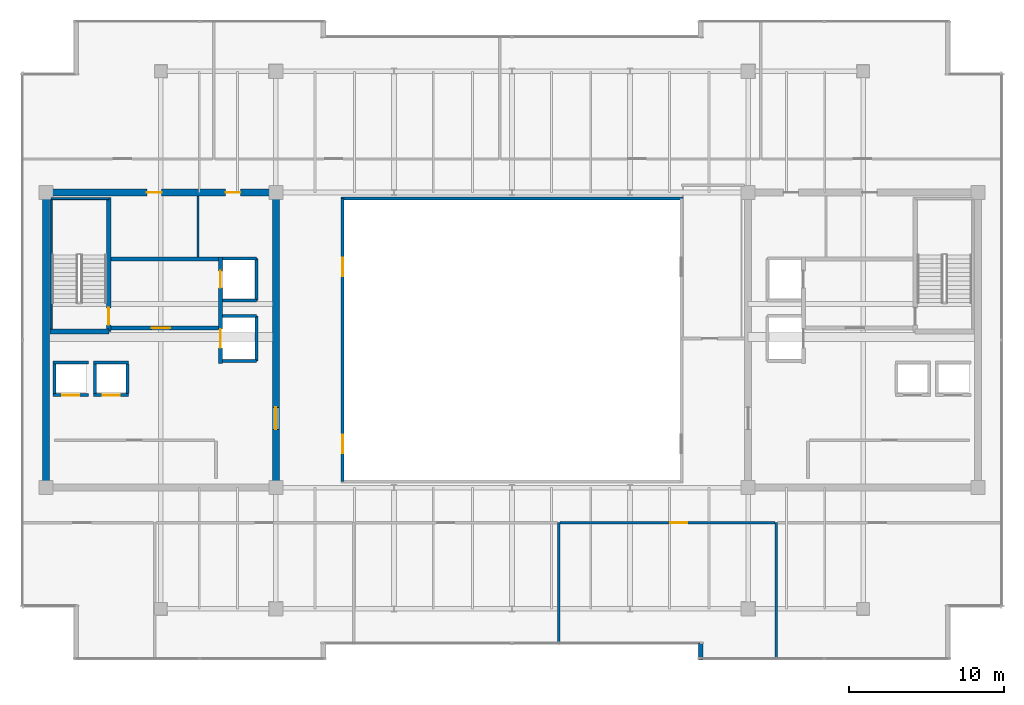
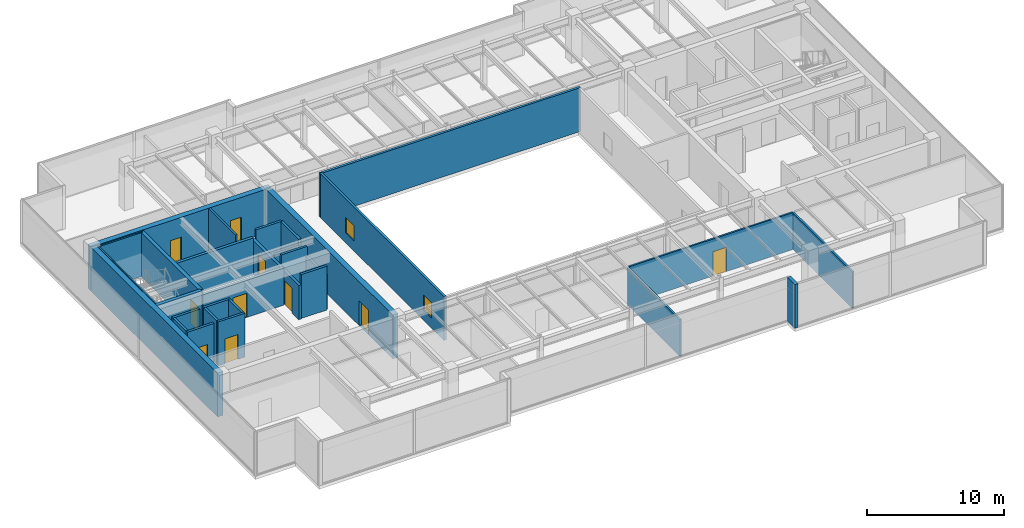
# One storey, part 27 of 34: 30 walls, 10 doors, 2 windows, 12 openings.
"""IFC4 building model written with IfcOpenShell, lengths in metres."""

from ifc_helpers import new_model, si_unit, direction, frame, frame_2d, origin, place, context, subcontext, project, spatial, rectangle, extrude, source, transform, mapped, material, layer, layer_set, type_object, type_shapes, element, fill, save


model = new_model("IFC4")

# Units and contexts
model_context = context("Model", 3, precision=1e-05, world=origin(), true_north=direction((0.0, 1.0)))
body_context = subcontext(model_context, "Body", "Model", "MODEL_VIEW")
ifc_project = project(units=[si_unit("LENGTHUNIT", "METRE"), si_unit("AREAUNIT", "SQUARE_METRE"), si_unit("VOLUMEUNIT", "CUBIC_METRE"), si_unit("PLANEANGLEUNIT", "RADIAN"), si_unit("MASSUNIT", "GRAM", prefix="KILO")], contexts=[model_context])

# Site, building, storey
site_placement = place(None, origin())
site = spatial("IfcSite", under=ifc_project, at=site_placement, CompositionType="ELEMENT")
building_placement = place(site_placement, origin())
building = spatial("IfcBuilding", under=site, at=building_placement, Name="Haelvirn Gate Laboratories", CompositionType="ELEMENT")
storey_placement = place(building_placement, frame((0.0, 0.0, 322.800048828125)))
storey = spatial("IfcBuildingStorey", under=building, at=storey_placement, Name="L77", CompositionType="ELEMENT", Elevation=322.800048828125)

# Walls
ifc_material_1 = material(Name="Thermally-broken bronze aluminium rainscreen & mineral wool", Category="aluminium")
ifc_layer_1 = layer(ifc_material_1, 0.280029296875, Name="EW-TERR-280")
ifc_layer_set_1 = layer_set([ifc_layer_1], Name="Thermally-broken bronze aluminium rainscreen & mineral wool")
wall_type_1 = type_object("IfcWallType", Name="EW-TERR-280", PredefinedType="STANDARD", material=ifc_layer_set_1)
wall_1_placement = place(storey_placement, frame((49.5400390625, 4.79296875, 0.0), z_axis=(0.0, 0.0, 1.0), x_axis=(0.0, -1.0, 0.0)))
element("IfcWall", 1, at=wall_1_placement, inside=storey, type_object=wall_type_1, Name="L77 Atrium Recess Bronze Return Wall 03", PredefinedType="STANDARD", context=body_context, shape_type="SweptSolid", body=[
    extrude(rectangle(XDim=1.093017578125, YDim=0.280029296875, at=frame_2d((0.54638671875, 0.0))), origin(), (0.0, 0.0, 1.0), 3.919921875),
])
ifc_material_2 = material(Name="Double-layer acoustic gypsum laboratory partition", Category="gypsum")
ifc_layer_2 = layer(ifc_material_2, 0.159912109375, Name="IW-ACOUST-160")
ifc_layer_set_2 = layer_set([ifc_layer_2], Name="Double-layer acoustic gypsum laboratory partition")
wall_type_2 = type_object("IfcWallType", Name="IW-ACOUST-160", PredefinedType="PARTITIONING", material=ifc_layer_set_2)
wall_2_placement = place(storey_placement, frame((40.39990234375, 4.81005859375, 0.0), z_axis=(0.0, 0.0, 1.0), x_axis=(0.0, 1.0, 0.0)))
element("IfcWall", 2, at=wall_2_placement, inside=storey, type_object=wall_type_2, Name="L77 Interior Wall IW-L77-SDIV-03", PredefinedType="PARTITIONING", context=body_context, shape_type="SweptSolid", body=[
    extrude(rectangle(XDim=7.72998046875, YDim=0.159912109375, at=frame_2d((3.864990234375, 0.0))), origin(), (0.0, 0.0, 1.0), 3.2548828125),
])
wall_3_placement = place(storey_placement, frame((54.39990234375, 3.81005859375, 0.0), z_axis=(0.0, 0.0, 1.0), x_axis=(0.0, 1.0, 0.0)))
element("IfcWall", 3, at=wall_3_placement, inside=storey, type_object=wall_type_2, Name="L77 Interior Wall IW-L77-SDIV-04", PredefinedType="PARTITIONING", context=body_context, shape_type="SweptSolid", body=[
    extrude(rectangle(XDim=8.72998046875, YDim=0.159912109375, at=frame_2d((4.364990234375, 0.0))), origin(), (0.0, 0.0, 1.0), 3.2548828125),
])

# Wall, openings, windows
ifc_material_3 = material(Name="Tempered fire-rated borosilicate glass & anodised aluminium", Category="aluminium")
ifc_layer_3 = layer(ifc_material_3, 0.195068359375, Name="IW-GLAZ-200")
ifc_layer_set_3 = layer_set([ifc_layer_3], Name="Tempered fire-rated borosilicate glass & anodised aluminium")
wall_type_3 = type_object("IfcWallType", Name="IW-GLAZ-200", PredefinedType="SOLIDWALL", material=ifc_layer_set_3)
wall_4_placement = place(storey_placement, frame((26.5, 15.199951171875, 0.0), z_axis=(0.0, 0.0, 1.0), x_axis=(0.0, 1.0, 0.0)))
wall_4 = element("IfcWall", 4, at=wall_4_placement, inside=storey, type_object=wall_type_3, Name="L77 Interior Wall IW-L77-ATRIUM-W", PredefinedType="SOLIDWALL", context=body_context, shape_type="SweptSolid", body=[
    extrude(rectangle(XDim=18.199951171875, YDim=0.195068359375, at=frame_2d((9.10009765625, 0.0))), origin(), (0.0, 0.0, 1.0), 3.919921875),
])
opening_1_placement = place(wall_4_placement, frame((1.800048828125, 0.0, 0.89990234375)))
opening_1 = element("IfcOpeningElement", 5, at=opening_1_placement, cuts=wall_4, Name="Opening W6", PredefinedType="OPENING", context=body_context, shape_type="SweptSolid", body=[
    extrude(rectangle(XDim=1.199951171875, YDim=1.35009765625, at=frame_2d((0.60009765625, 0.675048828125))), frame((0.0, 0.107421875, 0.0), z_axis=(0.0, -1.0, 0.0), x_axis=(1.0, 0.0, 0.0)), (0.0, 0.0, 1.0), 0.215087890625),
])
opening_2_placement = place(wall_4_placement, frame((13.199951171875, 0.0, 0.89990234375)))
opening_2 = element("IfcOpeningElement", 6, at=opening_2_placement, cuts=wall_4, Name="Opening W6", PredefinedType="OPENING", context=body_context, shape_type="SweptSolid", body=[
    extrude(rectangle(XDim=1.199951171875, YDim=1.35009765625, at=frame_2d((0.60009765625, 0.675048828125))), frame((0.0, 0.107421875, 0.0), z_axis=(0.0, -1.0, 0.0), x_axis=(1.0, 0.0, 0.0)), (0.0, 0.0, 1.0), 0.215087890625),
])
ifc_material_4 = material(Name="Fire-rated EI 120 borosilicate atrium vision glazing", Category="glass")
window_type = type_object("IfcWindowType", Name="WN-ATR-1200", PartitioningType="SINGLE_PANEL", PredefinedType="WINDOW", material=ifc_material_4)
shared_shape_1 = source(origin(), body_context, "Body", "SweptSolid", [
    extrude(rectangle(XDim=1.199951171875, YDim=1.35009765625, at=frame_2d((0.60009765625, 0.675048828125))), frame((0.0, 0.030029296875, 0.0), z_axis=(0.0, -1.0, 0.0), x_axis=(1.0, 0.0, 0.0)), (0.0, 0.0, 1.0), 0.06005859375),
])
type_shapes(window_type, [shared_shape_1])
window_1_placement = place(opening_1_placement, origin())
window_1 = element("IfcWindow", 7, at=window_1_placement, inside=storey, type_object=window_type, Name="L77 Atrium Observation Window 1", OverallHeight=1.35009765625, OverallWidth=1.199951171875, PartitioningType="SINGLE_PANEL", PredefinedType="WINDOW", context=body_context, shape_type="MappedRepresentation", body=[
    mapped(shared_shape_1, transform((0.0, 0.0, 0.0), scale=1.0)),
])
fill(opening_1, window_1)
window_2_placement = place(opening_2_placement, origin())
window_2 = element("IfcWindow", 8, at=window_2_placement, inside=storey, type_object=window_type, Name="L77 Atrium Observation Window 2", OverallHeight=1.35009765625, OverallWidth=1.199951171875, PartitioningType="SINGLE_PANEL", PredefinedType="WINDOW", context=body_context, shape_type="MappedRepresentation", body=[
    mapped(shared_shape_1, transform((0.0, 0.0, 0.0), scale=1.0)),
])
fill(opening_2, window_2)

# Wall
wall_5_placement = place(storey_placement, frame((26.39990234375, 33.39990234375, 0.0), z_axis=(0.0, 0.0, 1.0), x_axis=(1.0, 0.0, 0.0)))
element("IfcWall", 9, at=wall_5_placement, inside=storey, type_object=wall_type_3, Name="L77 Interior Wall IW-L77-ATRIUM-N", PredefinedType="SOLIDWALL", context=body_context, shape_type="SweptSolid", body=[
    extrude(rectangle(XDim=22.0, YDim=0.195068359375, at=frame_2d((11.0, 0.0))), origin(), (0.0, 0.0, 1.0), 3.919921875),
])

# Wall, opening, door
ifc_material_5 = material(Name="Acoustic mineral-wool gypsum board partition", Category="gypsum")
ifc_layer_4 = layer(ifc_material_5, 0.139892578125, Name="IW-PART-140")
ifc_layer_set_4 = layer_set([ifc_layer_4], Name="Acoustic mineral-wool gypsum board partition")
wall_type_4 = type_object("IfcWallType", Name="IW-PART-140", PredefinedType="PARTITIONING", material=ifc_layer_set_4)
wall_6_placement = place(storey_placement, frame((40.47998046875, 12.5400390625, 0.0), z_axis=(0.0, 0.0, 1.0), x_axis=(1.0, 0.0, 0.0)))
wall_6 = element("IfcWall", 10, at=wall_6_placement, inside=storey, type_object=wall_type_4, Name="L77 Interior Wall IW-L77-SCORR-04", PredefinedType="PARTITIONING", context=body_context, shape_type="SweptSolid", body=[
    extrude(rectangle(XDim=13.840087890625, YDim=0.139892578125, at=frame_2d((6.919921875, 0.0))), origin(), (0.0, 0.0, 1.0), 3.31689453125),
])
opening_3_placement = place(wall_6_placement, frame((7.09228515625, 0.0, 0.0)))
opening_3 = element("IfcOpeningElement", 11, at=opening_3_placement, cuts=wall_6, Name="Opening D1", PredefinedType="OPENING", context=body_context, shape_type="SweptSolid", body=[
    extrude(rectangle(XDim=1.10009765625, YDim=2.179931640625, at=frame_2d((0.550048828125, 1.08984375))), frame((0.0, 0.080078125, 0.0), z_axis=(0.0, -1.0, 0.0), x_axis=(1.0, 0.0, 0.0)), (0.0, 0.0, 1.0), 0.159912109375),
])
ifc_material_6 = material(Name="Vision-panel acoustic solid-core timber lab door", Category="wood")
door_type_1 = type_object("IfcDoorType", Name="DR-LAB-1100", OperationType="NOTDEFINED", PredefinedType="DOOR", material=ifc_material_6)
shared_shape_2 = source(origin(), body_context, "Body", "SweptSolid", [
    extrude(rectangle(XDim=1.10009765625, YDim=2.179931640625, at=frame_2d((0.550048828125, 1.08984375))), frame((0.0, 0.02490234375, 0.0), z_axis=(0.0, -1.0, 0.0), x_axis=(1.0, 0.0, 0.0)), (0.0, 0.0, 1.0), 0.050048828125),
])
type_shapes(door_type_1, [shared_shape_2])
door_1_placement = place(opening_3_placement, origin())
door_1 = element("IfcDoor", 12, at=door_1_placement, inside=storey, type_object=door_type_1, Name="L77 Translational Data Office Door S4", OperationType="SINGLE_SWING_LEFT", OverallHeight=2.179931640625, OverallWidth=1.10009765625, PredefinedType="DOOR", context=body_context, shape_type="MappedRepresentation", body=[
    mapped(shared_shape_2, transform((0.0, 0.0, 0.0), scale=1.0)),
])
fill(opening_3, door_1)

# Walls
ifc_material_7 = material(Name="Cement-board restroom plumbing chase wall", Category="gypsum")
ifc_layer_5 = layer(ifc_material_7, 0.155029296875, Name="IW-PLUMB-160")
ifc_layer_set_5 = layer_set([ifc_layer_5], Name="Cement-board restroom plumbing chase wall")
wall_type_5 = type_object("IfcWallType", Name="IW-PLUMB-160", PredefinedType="PLUMBINGWALL", material=ifc_layer_set_5)
wall_7_placement = place(storey_placement, frame((17.18994140625, 29.64990234375, 0.0), z_axis=(0.0, 0.0, 1.0), x_axis=(0.0, 1.0, 0.0)))
element("IfcWall", 13, at=wall_7_placement, inside=storey, type_object=wall_type_5, Name="L77 Interior Wall IW-L77-W-CDIV-1", PredefinedType="PLUMBINGWALL", context=body_context, shape_type="SweptSolid", body=[
    extrude(rectangle(XDim=3.93017578125, YDim=0.155029296875, at=frame_2d((1.965087890625, 0.0))), origin(), (0.0, 0.0, 1.0), 3.919921875),
])
ifc_material_8 = material(Name="Concrete C40/50", Category="concrete")
ifc_layer_6 = layer(ifc_material_8, 0.179931640625, Name="IW-SHAFT-180")
ifc_layer_set_6 = layer_set([ifc_layer_6], Name="Concrete C40/50")
wall_type_6 = type_object("IfcWallType", Name="IW-SHAFT-180", PredefinedType="SOLIDWALL", material=ifc_layer_set_6)
for number, where, z_axis, x_axis, name in (
    (14, (7.949951171875, 20.85009765625, 0.0), (0.0, 0.0, 1.0), (0.0, 1.0, 0.0), "L77 Interior Wall IW-L77-PL9-SD"),
    (15, (10.550048828125, 20.85009765625, 0.0), (0.0, 0.0, 1.0), (0.0, 1.0, 0.0), "L77 Interior Wall IW-L77-PL10-SD"),
    (16, (12.64990234375, 20.85009765625, 0.0), (0.0, 0.0, 1.0), (0.0, 1.0, 0.0), "L77 Interior Wall IW-L77-PL10-SDE"),
):
    element("IfcWall", number, at=place(storey_placement, frame(where, z_axis=z_axis, x_axis=x_axis)), inside=storey, type_object=wall_type_6, Name=name, PredefinedType="SOLIDWALL", context=body_context, shape_type="SweptSolid", body=[
        extrude(rectangle(XDim=1.89990234375, YDim=0.179931640625, at=frame_2d((0.949951171875, 0.0))), origin(), (0.0, 0.0, 1.0), 3.919921875),
    ])

# Wall, opening, door
ifc_layer_7 = layer(ifc_material_8, 0.199951171875, Name="IW-SHAFT-200")
ifc_layer_set_7 = layer_set([ifc_layer_7], Name="Concrete C40/50")
wall_type_7 = type_object("IfcWallType", Name="IW-SHAFT-200", PredefinedType="SOLIDWALL", material=ifc_layer_set_7)
wall_8_placement = place(storey_placement, frame((7.8701171875, 20.75, 0.0), z_axis=(0.0, 0.0, 1.0), x_axis=(1.0, 0.0, 0.0)))
wall_8 = element("IfcWall", 17, at=wall_8_placement, inside=storey, type_object=wall_type_7, Name="L77 Interior Wall IW-L77-PL9-FR", PredefinedType="SOLIDWALL", context=body_context, shape_type="SweptSolid", body=[
    extrude(rectangle(XDim=2.259765625, YDim=0.199951171875, at=frame_2d((1.1298828125, 0.0))), origin(), (0.0, 0.0, 1.0), 3.919921875),
])
opening_4_placement = place(wall_8_placement, frame((0.580078125, 0.0, 0.0)))
opening_4 = element("IfcOpeningElement", 18, at=opening_4_placement, cuts=wall_8, Name="Opening LD2", PredefinedType="OPENING", context=body_context, shape_type="SweptSolid", body=[
    extrude(rectangle(XDim=1.10009765625, YDim=2.219970703125, at=frame_2d((0.550048828125, 1.10986328125))), frame((0.0, 0.10986328125, 0.0), z_axis=(0.0, -1.0, 0.0), x_axis=(1.0, 0.0, 0.0)), (0.0, 0.0, 1.0), 0.219970703125),
])
ifc_material_9 = material(Name="Bronze stainless 316L sliding lift landing door")
door_type_2 = type_object("IfcDoorType", Name="DR-LD-1100", OperationType="NOTDEFINED", PredefinedType="USERDEFINED", material=ifc_material_9)
shared_shape_3 = source(origin(), body_context, "Body", "SweptSolid", [
    extrude(rectangle(XDim=1.10009765625, YDim=2.219970703125, at=frame_2d((0.550048828125, 1.10986328125))), frame((0.0, 0.02490234375, 0.0), z_axis=(0.0, -1.0, 0.0), x_axis=(1.0, 0.0, 0.0)), (0.0, 0.0, 1.0), 0.050048828125),
])
type_shapes(door_type_2, [shared_shape_3])
door_2_placement = place(opening_4_placement, origin())
door_2 = element("IfcDoor", 19, at=door_2_placement, inside=storey, type_object=door_type_2, Name="L77 Passenger Lift PL9 Landing Door", ObjectType="LANDING_DOOR", OperationType="SLIDING_TO_LEFT", OverallHeight=2.219970703125, OverallWidth=1.10009765625, PredefinedType="USERDEFINED", context=body_context, shape_type="MappedRepresentation", body=[
    mapped(shared_shape_3, transform((0.0, 0.0, 0.0), scale=1.0)),
])
fill(opening_4, door_2)

# Wall
wall_9_placement = place(storey_placement, frame((7.8701171875, 22.85009765625, 0.0), z_axis=(0.0, 0.0, 1.0), x_axis=(1.0, 0.0, 0.0)))
element("IfcWall", 20, at=wall_9_placement, inside=storey, type_object=wall_type_7, Name="L77 Interior Wall IW-L77-PL9-BK", PredefinedType="SOLIDWALL", context=body_context, shape_type="SweptSolid", body=[
    extrude(rectangle(XDim=2.259765625, YDim=0.199951171875, at=frame_2d((1.1298828125, 0.0))), origin(), (0.0, 0.0, 1.0), 3.919921875),
])

# Wall, opening, door
wall_10_placement = place(storey_placement, frame((10.469970703125, 20.75, 0.0), z_axis=(0.0, 0.0, 1.0), x_axis=(1.0, 0.0, 0.0)))
wall_10 = element("IfcWall", 21, at=wall_10_placement, inside=storey, type_object=wall_type_7, Name="L77 Interior Wall IW-L77-PL10-FR", PredefinedType="SOLIDWALL", context=body_context, shape_type="SweptSolid", body=[
    extrude(rectangle(XDim=2.260009765625, YDim=0.199951171875, at=frame_2d((1.1298828125, 0.0))), origin(), (0.0, 0.0, 1.0), 3.919921875),
])
opening_5_placement = place(wall_10_placement, frame((0.580078125, 0.0, 0.0)))
opening_5 = element("IfcOpeningElement", 22, at=opening_5_placement, cuts=wall_10, Name="Opening LD2", PredefinedType="OPENING", context=body_context, shape_type="SweptSolid", body=[
    extrude(rectangle(XDim=1.10009765625, YDim=2.219970703125, at=frame_2d((0.550048828125, 1.10986328125))), frame((0.0, 0.10986328125, 0.0), z_axis=(0.0, -1.0, 0.0), x_axis=(1.0, 0.0, 0.0)), (0.0, 0.0, 1.0), 0.219970703125),
])
door_3_placement = place(opening_5_placement, origin())
door_3 = element("IfcDoor", 23, at=door_3_placement, inside=storey, type_object=door_type_2, Name="L77 Passenger Lift PL10 Landing Door", ObjectType="LANDING_DOOR", OperationType="SLIDING_TO_RIGHT", OverallHeight=2.219970703125, OverallWidth=1.10009765625, PredefinedType="USERDEFINED", context=body_context, shape_type="MappedRepresentation", body=[
    mapped(shared_shape_3, transform((0.0, 0.0, 0.0), scale=1.0)),
])
fill(opening_5, door_3)

# Walls
wall_11_placement = place(storey_placement, frame((10.469970703125, 22.85009765625, 0.0), z_axis=(0.0, 0.0, 1.0), x_axis=(1.0, 0.0, 0.0)))
element("IfcWall", 24, at=wall_11_placement, inside=storey, type_object=wall_type_7, Name="L77 Interior Wall IW-L77-PL10-BK", PredefinedType="SOLIDWALL", context=body_context, shape_type="SweptSolid", body=[
    extrude(rectangle(XDim=2.260009765625, YDim=0.199951171875, at=frame_2d((1.1298828125, 0.0))), origin(), (0.0, 0.0, 1.0), 3.919921875),
])
wall_12_placement = place(storey_placement, frame((20.949951171875, 26.85009765625, 0.0), z_axis=(0.0, 0.0, 1.0), x_axis=(0.0, 1.0, 0.0)))
element("IfcWall", 25, at=wall_12_placement, inside=storey, type_object=wall_type_7, Name="L77 Interior Wall IW-L77-FL1-BK", PredefinedType="SOLIDWALL", context=body_context, shape_type="SweptSolid", body=[
    extrude(rectangle(XDim=2.699951171875, YDim=0.199951171875, at=frame_2d((1.35009765625, 0.0))), origin(), (0.0, 0.0, 1.0), 3.919921875),
])
wall_13_placement = place(storey_placement, frame((18.760009765625, 29.550048828125, 0.0), z_axis=(0.0, 0.0, 1.0), x_axis=(1.0, 0.0, 0.0)))
element("IfcWall", 26, at=wall_13_placement, inside=storey, type_object=wall_type_7, Name="L77 Interior Wall IW-L77-FL1-N", PredefinedType="SOLIDWALL", context=body_context, shape_type="SweptSolid", body=[
    extrude(rectangle(XDim=2.18994140625, YDim=0.199951171875, at=frame_2d((1.094970703125, 0.0))), origin(), (0.0, 0.0, 1.0), 3.919921875),
])
wall_14_placement = place(storey_placement, frame((18.760009765625, 26.85009765625, 0.0), z_axis=(0.0, 0.0, 1.0), x_axis=(1.0, 0.0, 0.0)))
element("IfcWall", 27, at=wall_14_placement, inside=storey, type_object=wall_type_7, Name="L77 Interior Wall IW-L77-FL1-S", PredefinedType="SOLIDWALL", context=body_context, shape_type="SweptSolid", body=[
    extrude(rectangle(XDim=2.18994140625, YDim=0.199951171875, at=frame_2d((1.094970703125, 0.0))), origin(), (0.0, 0.0, 1.0), 3.31689453125),
])
wall_15_placement = place(storey_placement, frame((20.949951171875, 22.949951171875, 0.0), z_axis=(0.0, 0.0, 1.0), x_axis=(0.0, 1.0, 0.0)))
element("IfcWall", 28, at=wall_15_placement, inside=storey, type_object=wall_type_7, Name="L77 Interior Wall IW-L77-SL1-BK", PredefinedType="SOLIDWALL", context=body_context, shape_type="SweptSolid", body=[
    extrude(rectangle(XDim=2.900146484375, YDim=0.199951171875, at=frame_2d((1.4501953125, 0.0))), origin(), (0.0, 0.0, 1.0), 3.054931640625),
])
for number, where, z_axis, x_axis, name in (
    (29, (18.760009765625, 25.85009765625, 0.0), (0.0, 0.0, 1.0), (1.0, 0.0, 0.0), "L77 Interior Wall IW-L77-SL1-N"),
    (30, (18.760009765625, 22.949951171875, 0.0), (0.0, 0.0, 1.0), (1.0, 0.0, 0.0), "L77 Interior Wall IW-L77-SL1-S"),
):
    element("IfcWall", number, at=place(storey_placement, frame(where, z_axis=z_axis, x_axis=x_axis)), inside=storey, type_object=wall_type_7, Name=name, PredefinedType="SOLIDWALL", context=body_context, shape_type="SweptSolid", body=[
        extrude(rectangle(XDim=2.18994140625, YDim=0.199951171875, at=frame_2d((1.094970703125, 0.0))), origin(), (0.0, 0.0, 1.0), 3.919921875),
    ])

# Wall, opening, door
ifc_layer_8 = layer(ifc_material_8, 0.239990234375, Name="IW-SHAFT-240")
ifc_layer_set_8 = layer_set([ifc_layer_8], Name="Concrete C40/50")
wall_type_8 = type_object("IfcWallType", Name="IW-SHAFT-240", PredefinedType="SOLIDWALL", material=ifc_layer_set_8)
wall_16_placement = place(storey_placement, frame((11.60009765625, 25.080078125, 0.0), z_axis=(0.0, 0.0, 1.0), x_axis=(1.0, 0.0, 0.0)))
wall_16 = element("IfcWall", 31, at=wall_16_placement, inside=storey, type_object=wall_type_8, Name="L77 Interior Wall IW-L77-W-FF-S", PredefinedType="SOLIDWALL", context=body_context, shape_type="SweptSolid", body=[
    extrude(rectangle(XDim=6.919921875, YDim=0.239990234375, at=frame_2d((3.4599609375, 0.0))), origin(), (0.0, 0.0, 1.0), 3.31689453125),
])
opening_6_placement = place(wall_16_placement, frame((2.60009765625, 0.0, 0.0)))
opening_6 = element("IfcOpeningElement", 32, at=opening_6_placement, cuts=wall_16, Name="Opening FD2", PredefinedType="OPENING", context=body_context, shape_type="SweptSolid", body=[
    extrude(rectangle(XDim=1.199951171875, YDim=2.159912109375, at=frame_2d((0.60009765625, 1.080078125))), frame((0.0, 0.1298828125, 0.0), z_axis=(0.0, -1.0, 0.0), x_axis=(1.0, 0.0, 0.0)), (0.0, 0.0, 1.0), 0.260009765625),
])
ifc_material_10 = material(Name="Fire-rated steel SM355 compartment door", Category="steel")
door_type_3 = type_object("IfcDoorType", Name="DR-FD-1200", OperationType="NOTDEFINED", PredefinedType="DOOR", material=ifc_material_10)
shared_shape_4 = source(origin(), body_context, "Body", "SweptSolid", [
    extrude(rectangle(XDim=1.199951171875, YDim=2.159912109375, at=frame_2d((0.60009765625, 1.080078125))), frame((0.0, 0.02490234375, 0.0), z_axis=(0.0, -1.0, 0.0), x_axis=(1.0, 0.0, 0.0)), (0.0, 0.0, 1.0), 0.050048828125),
])
type_shapes(door_type_3, [shared_shape_4])
door_4_placement = place(opening_6_placement, origin())
door_4 = element("IfcDoor", 33, at=door_4_placement, inside=storey, type_object=door_type_3, Name="L77 West Firefighting Lobby Door", OperationType="SINGLE_SWING_RIGHT", OverallHeight=2.159912109375, OverallWidth=1.199951171875, PredefinedType="DOOR", context=body_context, shape_type="MappedRepresentation", body=[
    mapped(shared_shape_4, transform((0.0, 0.0, 0.0), scale=1.0)),
])
fill(opening_6, door_4)

# Wall
wall_17_placement = place(storey_placement, frame((11.60009765625, 29.52001953125, 0.0), z_axis=(0.0, 0.0, 1.0), x_axis=(1.0, 0.0, 0.0)))
element("IfcWall", 34, at=wall_17_placement, inside=storey, type_object=wall_type_8, Name="L77 Interior Wall IW-L77-W-FF-N", PredefinedType="SOLIDWALL", context=body_context, shape_type="SweptSolid", body=[
    extrude(rectangle(XDim=6.919921875, YDim=0.239990234375, at=frame_2d((3.4599609375, 0.0))), origin(), (0.0, 0.0, 1.0), 3.31689453125),
])

# Wall, openings, doors
wall_18_placement = place(storey_placement, frame((18.639892578125, 22.800048828125, 0.0), z_axis=(0.0, 0.0, 1.0), x_axis=(0.0, 1.0, 0.0)))
wall_18 = element("IfcWall", 35, at=wall_18_placement, inside=storey, type_object=wall_type_8, Name="L77 Interior Wall IW-L77-W-FF-E", PredefinedType="SOLIDWALL", context=body_context, shape_type="SweptSolid", body=[
    extrude(rectangle(XDim=6.849853515625, YDim=0.239990234375, at=frame_2d((3.4248046875, 0.0))), origin(), (0.0, 0.0, 1.0), 3.054931640625),
])
opening_7_placement = place(wall_18_placement, frame((4.85009765625, 0.0, 0.0)))
opening_7 = element("IfcOpeningElement", 36, at=opening_7_placement, cuts=wall_18, Name="Opening LD2", PredefinedType="OPENING", context=body_context, shape_type="SweptSolid", body=[
    extrude(rectangle(XDim=1.10009765625, YDim=2.219970703125, at=frame_2d((0.550048828125, 1.10986328125))), frame((0.0, 0.1298828125, 0.0), z_axis=(0.0, -1.0, 0.0), x_axis=(1.0, 0.0, 0.0)), (0.0, 0.0, 1.0), 0.260009765625),
])
opening_8_placement = place(wall_18_placement, frame((1.0, 0.0, 0.0)))
opening_8 = element("IfcOpeningElement", 37, at=opening_8_placement, cuts=wall_18, Name="Opening LD1", PredefinedType="OPENING", context=body_context, shape_type="SweptSolid", body=[
    extrude(rectangle(XDim=1.199951171875, YDim=2.219970703125, at=frame_2d((0.60009765625, 1.10986328125))), frame((0.0, 0.1298828125, 0.0), z_axis=(0.0, -1.0, 0.0), x_axis=(1.0, 0.0, 0.0)), (0.0, 0.0, 1.0), 0.260009765625),
])
door_5_placement = place(opening_7_placement, origin())
door_5 = element("IfcDoor", 38, at=door_5_placement, inside=storey, type_object=door_type_2, Name="L77 Firefighting Lift FL1 Landing Door", ObjectType="LANDING_DOOR", OperationType="SLIDING_TO_LEFT", OverallHeight=2.219970703125, OverallWidth=1.10009765625, PredefinedType="USERDEFINED", context=body_context, shape_type="MappedRepresentation", body=[
    mapped(shared_shape_3, transform((0.0, 0.0, 0.0), scale=1.0)),
])
fill(opening_7, door_5)
ifc_material_11 = material(Name="Stainless steel 316L sliding goods landing door", Category="steel")
door_type_4 = type_object("IfcDoorType", Name="DR-LD-1200", OperationType="NOTDEFINED", PredefinedType="USERDEFINED", material=ifc_material_11)
shared_shape_5 = source(origin(), body_context, "Body", "SweptSolid", [
    extrude(rectangle(XDim=1.199951171875, YDim=2.219970703125, at=frame_2d((0.60009765625, 1.10986328125))), frame((0.0, 0.02490234375, 0.0), z_axis=(0.0, -1.0, 0.0), x_axis=(1.0, 0.0, 0.0)), (0.0, 0.0, 1.0), 0.050048828125),
])
type_shapes(door_type_4, [shared_shape_5])
door_6_placement = place(opening_8_placement, origin())
door_6 = element("IfcDoor", 39, at=door_6_placement, inside=storey, type_object=door_type_4, Name="L77 Service Lift SL1 Landing Door", ObjectType="LANDING_DOOR", OperationType="SLIDING_TO_RIGHT", OverallHeight=2.219970703125, OverallWidth=1.199951171875, PredefinedType="USERDEFINED", context=body_context, shape_type="MappedRepresentation", body=[
    mapped(shared_shape_5, transform((0.0, 0.0, 0.0), scale=1.0)),
])
fill(opening_8, door_6)

ifc_material_12 = material(Name="Concrete C50/60", Category="concrete")
ifc_layer_9 = layer(ifc_material_12, 0.449951171875, Name="SW-CORE-450")
ifc_layer_set_9 = layer_set([ifc_layer_9], Name="Concrete C50/60")
wall_type_9 = type_object("IfcWallType", Name="SW-CORE-450", PredefinedType="SHEAR", material=ifc_layer_set_9)
wall_19_placement = place(storey_placement, frame((7.175048828125, 33.800048828125, 0.0), z_axis=(0.0, 0.0, 1.0), x_axis=(1.0, 0.0, 0.0)))
wall_19 = element("IfcWall", 40, at=wall_19_placement, inside=storey, type_object=wall_type_9, Name="L77 W Core Shear Wall N", PredefinedType="SHEAR", context=body_context, shape_type="SweptSolid", body=[
    extrude(rectangle(XDim=15.25, YDim=0.449951171875, at=frame_2d((7.625, 0.0))), origin(), (0.0, 0.0, 1.0), 3.919921875),
])
opening_9_placement = place(wall_19_placement, frame((6.72509765625, 0.0, 0.0)))
opening_9 = element("IfcOpeningElement", 41, at=opening_9_placement, cuts=wall_19, Name="Opening FD4", PredefinedType="OPENING", context=body_context, shape_type="SweptSolid", body=[
    extrude(rectangle(XDim=0.949951171875, YDim=2.14990234375, at=frame_2d((0.47509765625, 1.074951171875))), frame((0.0, 0.23486328125, 0.0), z_axis=(0.0, -1.0, 0.0), x_axis=(1.0, 0.0, 0.0)), (0.0, 0.0, 1.0), 0.469970703125),
])
opening_10_placement = place(wall_19_placement, frame((11.7900390625, 0.0, 0.0)))
opening_10 = element("IfcOpeningElement", 42, at=opening_10_placement, cuts=wall_19, Name="Opening FD4", PredefinedType="OPENING", context=body_context, shape_type="SweptSolid", body=[
    extrude(rectangle(XDim=0.949951171875, YDim=2.14990234375, at=frame_2d((0.47509765625, 1.074951171875))), frame((0.0, 0.23486328125, 0.0), z_axis=(0.0, -1.0, 0.0), x_axis=(1.0, 0.0, 0.0)), (0.0, 0.0, 1.0), 0.469970703125),
])
ifc_material_13 = material(Name="Fire-rated steel SM355 core service door", Category="steel")
door_type_5 = type_object("IfcDoorType", Name="DR-FD-950", OperationType="NOTDEFINED", PredefinedType="DOOR", material=ifc_material_13)
shared_shape_6 = source(origin(), body_context, "Body", "SweptSolid", [
    extrude(rectangle(XDim=0.949951171875, YDim=2.14990234375, at=frame_2d((0.47509765625, 1.074951171875))), frame((0.0, 0.02490234375, 0.0), z_axis=(0.0, -1.0, 0.0), x_axis=(1.0, 0.0, 0.0)), (0.0, 0.0, 1.0), 0.050048828125),
])
type_shapes(door_type_5, [shared_shape_6])
door_7_placement = place(opening_9_placement, origin())
door_7 = element("IfcDoor", 43, at=door_7_placement, inside=storey, type_object=door_type_5, Name="L77 All-Gender Multi-Stall Restroom Fire Door", OperationType="SINGLE_SWING_RIGHT", OverallHeight=2.14990234375, OverallWidth=0.949951171875, PredefinedType="DOOR", context=body_context, shape_type="MappedRepresentation", body=[
    mapped(shared_shape_6, transform((0.0, 0.0, 0.0), scale=1.0)),
])
fill(opening_9, door_7)
door_8_placement = place(opening_10_placement, origin())
door_8 = element("IfcDoor", 44, at=door_8_placement, inside=storey, type_object=door_type_5, Name="L77 Accessible Restroom Fire Door", OperationType="SINGLE_SWING_LEFT", OverallHeight=2.14990234375, OverallWidth=0.949951171875, PredefinedType="DOOR", context=body_context, shape_type="MappedRepresentation", body=[
    mapped(shared_shape_6, transform((0.0, 0.0, 0.0), scale=1.0)),
])
fill(opening_10, door_8)

# Wall
wall_20_placement = place(storey_placement, frame((7.39990234375, 15.02490234375, 0.0), z_axis=(0.0, 0.0, 1.0), x_axis=(0.0, 1.0, 0.0)))
element("IfcWall", 45, at=wall_20_placement, inside=storey, type_object=wall_type_9, Name="L77 W Core Shear Wall W", PredefinedType="SHEAR", context=body_context, shape_type="SweptSolid", body=[
    extrude(rectangle(XDim=18.550048828125, YDim=0.449951171875, at=frame_2d((9.27490234375, 0.0))), origin(), (0.0, 0.0, 1.0), 3.919921875),
])

# Wall, opening, door
wall_21_placement = place(storey_placement, frame((22.199951171875, 15.02490234375, 0.0), z_axis=(0.0, 0.0, 1.0), x_axis=(0.0, 1.0, 0.0)))
wall_21 = element("IfcWall", 46, at=wall_21_placement, inside=storey, type_object=wall_type_9, Name="L77 W Core Shear Wall E", PredefinedType="SHEAR", context=body_context, shape_type="SweptSolid", body=[
    extrude(rectangle(XDim=18.550048828125, YDim=0.449951171875, at=frame_2d((9.27490234375, 0.0))), origin(), (0.0, 0.0, 1.0), 3.919921875),
])
opening_11_placement = place(wall_21_placement, frame((3.52490234375, 0.0, 0.0)))
opening_11 = element("IfcOpeningElement", 47, at=opening_11_placement, cuts=wall_21, Name="Opening FD1", PredefinedType="OPENING", context=body_context, shape_type="SweptSolid", body=[
    extrude(rectangle(XDim=1.419921875, YDim=2.199951171875, at=frame_2d((0.7099609375, 1.10009765625))), frame((0.0, 0.23486328125, 0.0), z_axis=(0.0, -1.0, 0.0), x_axis=(1.0, 0.0, 0.0)), (0.0, 0.0, 1.0), 0.469970703125),
])
ifc_material_14 = material(Name="Fire-rated double steel SM355 lobby door", Category="steel")
door_type_6 = type_object("IfcDoorType", Name="DR-FD-1400", OperationType="NOTDEFINED", PredefinedType="DOOR", material=ifc_material_14)
shared_shape_7 = source(origin(), body_context, "Body", "SweptSolid", [
    extrude(rectangle(XDim=1.419921875, YDim=2.199951171875, at=frame_2d((0.7099609375, 1.10009765625))), frame((0.0, 0.02490234375, 0.0), z_axis=(0.0, -1.0, 0.0), x_axis=(1.0, 0.0, 0.0)), (0.0, 0.0, 1.0), 0.050048828125),
])
type_shapes(door_type_6, [shared_shape_7])
door_9_placement = place(opening_11_placement, origin())
door_9 = element("IfcDoor", 48, at=door_9_placement, inside=storey, type_object=door_type_6, Name="L77 West Core Lift Lobby Fire Door", OperationType="DOUBLE_DOOR_SINGLE_SWING", OverallHeight=2.199951171875, OverallWidth=1.419921875, PredefinedType="DOOR", context=body_context, shape_type="MappedRepresentation", body=[
    mapped(shared_shape_7, transform((0.0, 0.0, 0.0), scale=1.0)),
])
fill(opening_11, door_9)

# Walls
ifc_layer_10 = layer(ifc_material_12, 0.1201171875, Name="SW-LINER-120")
ifc_layer_set_10 = layer_set([ifc_layer_10], Name="Concrete C50/60")
wall_type_10 = type_object("IfcWallType", Name="SW-LINER-120", PredefinedType="SOLIDWALL", material=ifc_layer_set_10)
wall_22_placement = place(storey_placement, frame((7.72998046875, 33.39990234375, 0.0), z_axis=(0.0, 0.0, 1.0), x_axis=(1.0, 0.0, 0.0)))
element("IfcWall", 49, at=wall_22_placement, inside=storey, type_object=wall_type_10, Name="L77 W Core Stair Shaft Liner Wall N", PredefinedType="SOLIDWALL", context=body_context, shape_type="SweptSolid", body=[
    extrude(rectangle(XDim=3.719970703125, YDim=0.1201171875, at=frame_2d((1.85986328125, 0.0))), origin(), (0.0, 0.0, 1.0), 3.919921875),
])
wall_23_placement = place(storey_placement, frame((7.72998046875, 25.0, 0.0), z_axis=(0.0, 0.0, 1.0), x_axis=(0.0, 1.0, 0.0)))
element("IfcWall", 50, at=wall_23_placement, inside=storey, type_object=wall_type_10, Name="L77 W Core Stair Shaft Liner Wall OUT", PredefinedType="SOLIDWALL", context=body_context, shape_type="SweptSolid", body=[
    extrude(rectangle(XDim=8.320068359375, YDim=0.1201171875, at=frame_2d((4.16015625, 0.0))), origin(), (0.0, 0.0, 1.0), 3.919921875),
])

# Wall, opening, door
ifc_layer_11 = layer(ifc_material_12, 0.300048828125, Name="SW-STAIR-300")
ifc_layer_set_11 = layer_set([ifc_layer_11], Name="Concrete C50/60")
wall_type_11 = type_object("IfcWallType", Name="SW-STAIR-300", PredefinedType="SHEAR", material=ifc_layer_set_11)
wall_24_placement = place(storey_placement, frame((11.449951171875, 24.85009765625, 0.0), z_axis=(0.0, 0.0, 1.0), x_axis=(0.0, 1.0, 0.0)))
wall_24 = element("IfcWall", 51, at=wall_24_placement, inside=storey, type_object=wall_type_11, Name="L77 W Core Stair Shaft Structural Wall IN", PredefinedType="SHEAR", context=body_context, shape_type="SweptSolid", body=[
    extrude(rectangle(XDim=8.6298828125, YDim=0.300048828125, at=frame_2d((4.31494140625, 0.0))), origin(), (0.0, 0.0, 1.0), 3.919921875),
])
opening_12_placement = place(wall_24_placement, frame((0.419921875, 0.0, 0.0)))
opening_12 = element("IfcOpeningElement", 52, at=opening_12_placement, cuts=wall_24, Name="Opening FD3", PredefinedType="OPENING", context=body_context, shape_type="SweptSolid", body=[
    extrude(rectangle(XDim=1.10009765625, YDim=2.14990234375, at=frame_2d((0.550048828125, 1.074951171875))), frame((0.0, 0.16015625, 0.0), z_axis=(0.0, -1.0, 0.0), x_axis=(1.0, 0.0, 0.0)), (0.0, 0.0, 1.0), 0.320068359375),
])
ifc_material_15 = material(Name="Fire-rated steel SM355 escape stair door", Category="steel")
door_type_7 = type_object("IfcDoorType", Name="DR-FD-1100", OperationType="NOTDEFINED", PredefinedType="DOOR", material=ifc_material_15)
shared_shape_8 = source(origin(), body_context, "Body", "SweptSolid", [
    extrude(rectangle(XDim=1.10009765625, YDim=2.14990234375, at=frame_2d((0.550048828125, 1.074951171875))), frame((0.0, 0.02490234375, 0.0), z_axis=(0.0, -1.0, 0.0), x_axis=(1.0, 0.0, 0.0)), (0.0, 0.0, 1.0), 0.050048828125),
])
type_shapes(door_type_7, [shared_shape_8])
door_10_placement = place(opening_12_placement, origin())
door_10 = element("IfcDoor", 53, at=door_10_placement, inside=storey, type_object=door_type_7, Name="L77 Escape Stair ST1 Fire Door", OperationType="SINGLE_SWING_LEFT", OverallHeight=2.14990234375, OverallWidth=1.10009765625, PredefinedType="DOOR", context=body_context, shape_type="MappedRepresentation", body=[
    mapped(shared_shape_8, transform((0.0, 0.0, 0.0), scale=1.0)),
])
fill(opening_12, door_10)

# Wall
wall_25_placement = place(storey_placement, frame((7.64990234375, 24.85009765625, 0.0), z_axis=(0.0, 0.0, 1.0), x_axis=(1.0, 0.0, 0.0)))
element("IfcWall", 54, at=wall_25_placement, inside=storey, type_object=wall_type_11, Name="L77 W Core Stair Shaft Structural Wall S", PredefinedType="SHEAR", context=body_context, shape_type="SweptSolid", body=[
    extrude(rectangle(XDim=3.800048828125, YDim=0.300048828125, at=frame_2d((1.89990234375, 0.0))), origin(), (0.0, 0.0, 1.0), 3.919921875),
])

save(model, "model.ifc")
